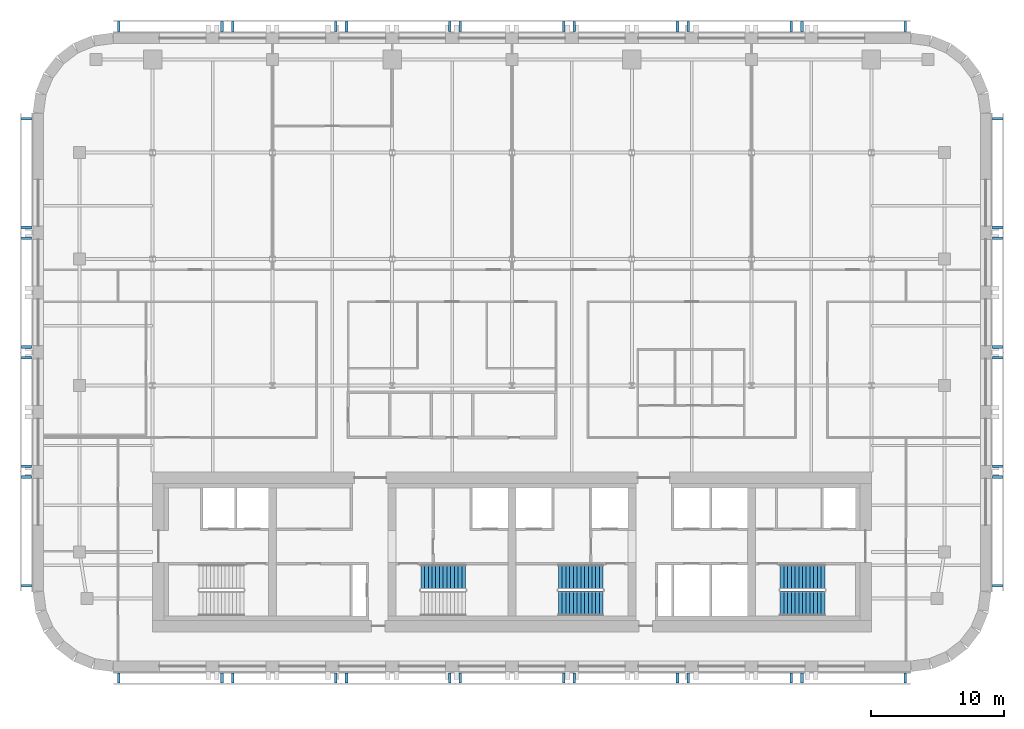
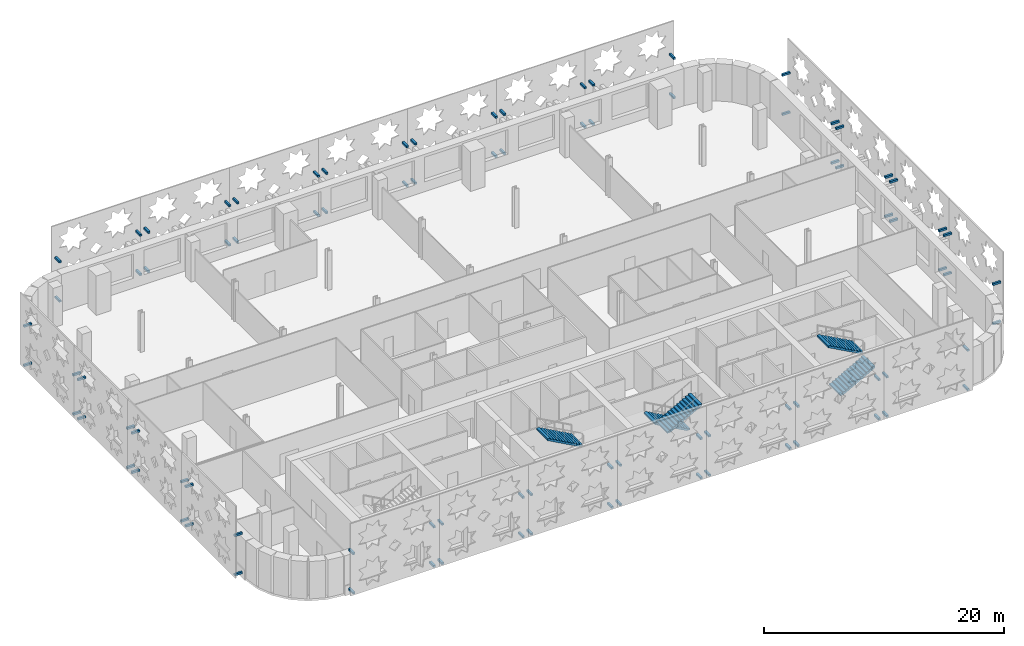
# One storey, part 8 of 12: 88 discrete accessories, 5 stair flights, 3 elements without a shape of their own.
"""IFC4 building model written with IfcOpenShell, lengths in metres."""

from ifc_helpers import new_model, si_unit, direction, frame, origin, origin_2d, place, context, subcontext, project, spatial, polyline, rectangle, outline, extrude, material, type_object, element, aggregate, save


model = new_model("IFC4")

# Units and contexts
model_context = context("Model", 3, precision=1e-05, world=origin(), true_north=direction((0.0, 1.0)))
body_context = subcontext(model_context, "Body", "Model", "MODEL_VIEW")
ifc_project = project(units=[si_unit("LENGTHUNIT", "METRE"), si_unit("AREAUNIT", "SQUARE_METRE"), si_unit("VOLUMEUNIT", "CUBIC_METRE"), si_unit("PLANEANGLEUNIT", "RADIAN"), si_unit("MASSUNIT", "GRAM", prefix="KILO")], contexts=[model_context])

# Site, building, storey
site_placement = place(None, origin())
site = spatial("IfcSite", under=ifc_project, at=site_placement, CompositionType="ELEMENT")
building_placement = place(site_placement, origin())
building = spatial("IfcBuilding", under=site, at=building_placement, Name="Zellij Exchange Tower", CompositionType="ELEMENT")
storey_placement = place(building_placement, frame((0.0, 0.0, 204.5)))
storey = spatial("IfcBuildingStorey", under=building, at=storey_placement, Name="L47", CompositionType="ELEMENT", Elevation=204.5)

# Stair, stair flight
ifc_material_1 = material(Name="Concrete C40/50", Category="concrete")
stair_type = type_object("IfcStairType", Name="CORE-ST exit stair 1850 wide", PredefinedType="HALF_TURN_STAIR", material=ifc_material_1)
stair_1_placement = place(storey_placement, origin())
stair_1 = element("IfcStair", 1, at=stair_1_placement, inside=storey, type_object=stair_type, Name="L47 exit stair ST2", PredefinedType="HALF_TURN_STAIR")
stair_flight_type = type_object("IfcStairFlightType", Name="CORE-SF flight 1850 riser 153.8 going 280", PredefinedType="STRAIGHT", material=ifc_material_1)
stair_flight_1_placement = place(storey_placement, frame((-3.489990234375, -9.875, 2.0), z_axis=(0.0, 0.0, 1.0), x_axis=(-1.0, 0.0, 0.0)))
stair_flight_1 = element("IfcStairFlight", 2, at=stair_flight_1_placement, type_object=stair_flight_type, Name="ST2 flight 2", NumberOfRisers=13, NumberOfTreads=12, PredefinedType="STRAIGHT", RiserHeight=0.153846154, TreadLength=0.28, context=body_context, shape_type="SweptSolid", body=[
    extrude(outline(polyline([(0.0, 0.0), (0.0, 0.15380859375), (0.280029296875, 0.15380859375), (0.280029296875, 0.3076171875), (0.56005859375, 0.3076171875), (0.56005859375, 0.46142578125), (0.840087890625, 0.46142578125), (0.840087890625, 0.615478515625), (1.1201171875, 0.615478515625), (1.1201171875, 0.769287109375), (1.39990234375, 0.769287109375), (1.39990234375, 0.923095703125), (1.679931640625, 0.923095703125), (1.679931640625, 1.076904296875), (1.9599609375, 1.076904296875), (1.9599609375, 1.230712890625), (2.239990234375, 1.230712890625), (2.239990234375, 1.384521484375), (2.52001953125, 1.384521484375), (2.52001953125, 1.53857421875), (2.800048828125, 1.53857421875), (2.800048828125, 1.6923828125), (3.080078125, 1.6923828125), (3.080078125, 1.84619140625), (3.360107421875, 1.84619140625), (3.360107421875, 2.0), (3.360107421875, 1.675048828125), (0.311279296875, 0.0), (0.0, 0.0)])), frame((0.0, 0.925048828125, 0.0), z_axis=(0.0, -1.0, 0.0), x_axis=(1.0, 0.0, 0.0)), (0.0, 0.0, 1.0), 1.85009765625),
])
aggregate(stair_1, [stair_flight_1])

# Stair, stair flights
stair_2_placement = place(storey_placement, origin())
stair_2 = element("IfcStair", 3, at=stair_2_placement, inside=storey, type_object=stair_type, Name="L47 exit stair ST3", PredefinedType="HALF_TURN_STAIR")
stair_flight_2_placement = place(storey_placement, frame((6.85009765625, -9.875, 0.0), z_axis=(0.0, 0.0, 1.0), x_axis=(-1.0, 0.0, 0.0)))
stair_flight_2 = element("IfcStairFlight", 4, at=stair_flight_2_placement, type_object=stair_flight_type, Name="ST3 flight 1", NumberOfRisers=13, NumberOfTreads=12, PredefinedType="STRAIGHT", RiserHeight=0.153846154, TreadLength=0.28, context=body_context, shape_type="SweptSolid", body=[
    extrude(outline(polyline([(0.0, 0.0), (0.0, 0.15380859375), (0.280029296875, 0.15380859375), (0.280029296875, 0.3076171875), (0.56005859375, 0.3076171875), (0.56005859375, 0.46142578125), (0.840087890625, 0.46142578125), (0.840087890625, 0.615478515625), (1.1201171875, 0.615478515625), (1.1201171875, 0.769287109375), (1.39990234375, 0.769287109375), (1.39990234375, 0.923095703125), (1.679931640625, 0.923095703125), (1.679931640625, 1.076904296875), (1.9599609375, 1.076904296875), (1.9599609375, 1.230712890625), (2.239990234375, 1.230712890625), (2.239990234375, 1.384521484375), (2.52001953125, 1.384521484375), (2.52001953125, 1.53857421875), (2.800048828125, 1.53857421875), (2.800048828125, 1.6923828125), (3.080078125, 1.6923828125), (3.080078125, 1.84619140625), (3.360107421875, 1.84619140625), (3.360107421875, 2.0), (3.360107421875, 1.675048828125), (0.311279296875, 0.0), (0.0, 0.0)])), frame((0.0, 0.925048828125, 0.0), z_axis=(0.0, -1.0, 0.0), x_axis=(1.0, 0.0, 0.0)), (0.0, 0.0, 1.0), 1.85009765625),
])
stair_flight_3_placement = place(storey_placement, frame((3.489990234375, -11.875, 2.0), z_axis=(0.0, 0.0, 1.0), x_axis=(1.0, 0.0, 0.0)))
stair_flight_3 = element("IfcStairFlight", 5, at=stair_flight_3_placement, type_object=stair_flight_type, Name="ST3 flight 2", NumberOfRisers=13, NumberOfTreads=12, PredefinedType="STRAIGHT", RiserHeight=0.153846154, TreadLength=0.28, context=body_context, shape_type="SweptSolid", body=[
    extrude(outline(polyline([(0.0, 0.0), (0.0, 0.15380859375), (0.280029296875, 0.15380859375), (0.280029296875, 0.3076171875), (0.56005859375, 0.3076171875), (0.56005859375, 0.46142578125), (0.840087890625, 0.46142578125), (0.840087890625, 0.615478515625), (1.1201171875, 0.615478515625), (1.1201171875, 0.769287109375), (1.39990234375, 0.769287109375), (1.39990234375, 0.923095703125), (1.679931640625, 0.923095703125), (1.679931640625, 1.076904296875), (1.9599609375, 1.076904296875), (1.9599609375, 1.230712890625), (2.239990234375, 1.230712890625), (2.239990234375, 1.384521484375), (2.52001953125, 1.384521484375), (2.52001953125, 1.53857421875), (2.800048828125, 1.53857421875), (2.800048828125, 1.6923828125), (3.080078125, 1.6923828125), (3.080078125, 1.84619140625), (3.360107421875, 1.84619140625), (3.360107421875, 2.0), (3.360107421875, 1.675048828125), (0.311279296875, 0.0), (0.0, 0.0)])), frame((0.0, 0.925048828125, 0.0), z_axis=(0.0, -1.0, 0.0), x_axis=(1.0, 0.0, 0.0)), (0.0, 0.0, 1.0), 1.85009765625),
])
aggregate(stair_2, [stair_flight_2, stair_flight_3])

stair_3_placement = place(storey_placement, origin())
stair_3 = element("IfcStair", 6, at=stair_3_placement, inside=storey, type_object=stair_type, Name="L47 exit stair ST4", PredefinedType="HALF_TURN_STAIR")
stair_flight_4_placement = place(storey_placement, frame((20.14990234375, -11.875, 0.0), z_axis=(0.0, 0.0, 1.0), x_axis=(1.0, 0.0, 0.0)))
stair_flight_4 = element("IfcStairFlight", 7, at=stair_flight_4_placement, type_object=stair_flight_type, Name="ST4 flight 1", NumberOfRisers=13, NumberOfTreads=12, PredefinedType="STRAIGHT", RiserHeight=0.153846154, TreadLength=0.28, context=body_context, shape_type="SweptSolid", body=[
    extrude(outline(polyline([(0.0, 0.0), (0.0, 0.15380859375), (0.280029296875, 0.15380859375), (0.280029296875, 0.3076171875), (0.56005859375, 0.3076171875), (0.56005859375, 0.46142578125), (0.840087890625, 0.46142578125), (0.840087890625, 0.615478515625), (1.1201171875, 0.615478515625), (1.1201171875, 0.769287109375), (1.39990234375, 0.769287109375), (1.39990234375, 0.923095703125), (1.679931640625, 0.923095703125), (1.679931640625, 1.076904296875), (1.9599609375, 1.076904296875), (1.9599609375, 1.230712890625), (2.239990234375, 1.230712890625), (2.239990234375, 1.384521484375), (2.52001953125, 1.384521484375), (2.52001953125, 1.53857421875), (2.800048828125, 1.53857421875), (2.800048828125, 1.6923828125), (3.080078125, 1.6923828125), (3.080078125, 1.84619140625), (3.360107421875, 1.84619140625), (3.360107421875, 2.0), (3.360107421875, 1.675048828125), (0.311279296875, 0.0), (0.0, 0.0)])), frame((0.0, 0.925048828125, 0.0), z_axis=(0.0, -1.0, 0.0), x_axis=(1.0, 0.0, 0.0)), (0.0, 0.0, 1.0), 1.85009765625),
])
stair_flight_5_placement = place(storey_placement, frame((23.510009765625, -9.875, 2.0), z_axis=(0.0, 0.0, 1.0), x_axis=(-1.0, 0.0, 0.0)))
stair_flight_5 = element("IfcStairFlight", 8, at=stair_flight_5_placement, type_object=stair_flight_type, Name="ST4 flight 2", NumberOfRisers=13, NumberOfTreads=12, PredefinedType="STRAIGHT", RiserHeight=0.153846154, TreadLength=0.28, context=body_context, shape_type="SweptSolid", body=[
    extrude(outline(polyline([(0.0, 0.0), (0.0, 0.15380859375), (0.280029296875, 0.15380859375), (0.280029296875, 0.3076171875), (0.56005859375, 0.3076171875), (0.56005859375, 0.46142578125), (0.840087890625, 0.46142578125), (0.840087890625, 0.615478515625), (1.1201171875, 0.615478515625), (1.1201171875, 0.769287109375), (1.39990234375, 0.769287109375), (1.39990234375, 0.923095703125), (1.679931640625, 0.923095703125), (1.679931640625, 1.076904296875), (1.9599609375, 1.076904296875), (1.9599609375, 1.230712890625), (2.239990234375, 1.230712890625), (2.239990234375, 1.384521484375), (2.52001953125, 1.384521484375), (2.52001953125, 1.53857421875), (2.800048828125, 1.53857421875), (2.800048828125, 1.6923828125), (3.080078125, 1.6923828125), (3.080078125, 1.84619140625), (3.360107421875, 1.84619140625), (3.360107421875, 2.0), (3.360107421875, 1.675048828125), (0.311279296875, 0.0), (0.0, 0.0)])), frame((0.0, 0.925048828125, 0.0), z_axis=(0.0, -1.0, 0.0), x_axis=(1.0, 0.0, 0.0)), (0.0, 0.0, 1.0), 1.85009765625),
])
aggregate(stair_3, [stair_flight_4, stair_flight_5])

# Discrete accessories
ifc_material_2 = material(Name="Stainless steel", Category="steel")
discrete_accessory_type = type_object("IfcDiscreteAccessoryType", Name="ENV-BR1 Stone panel bracket 200", PredefinedType="USERDEFINED", material=ifc_material_2)
for number, where, z_axis, x_axis, name in (
    (9, (-36.47509765625, 24.547607421875, 0.2998046875), (0.0, 0.0, 1.0), (0.0, -1.0, 0.0), "Panel bracket"),
    (10, (-36.47509765625, 16.373779296875, 0.2998046875), (0.0, 0.0, 1.0), (0.0, -1.0, 0.0), "Panel bracket"),
    (11, (-36.47509765625, 24.547607421875, 4.2998046875), (0.0, 0.0, 1.0), (0.0, -1.0, 0.0), "Panel bracket"),
    (12, (-36.47509765625, 16.373779296875, 4.2998046875), (0.0, 0.0, 1.0), (0.0, -1.0, 0.0), "Panel bracket"),
    (13, (-36.47509765625, 15.57373046875, 0.2998046875), (0.0, 0.0, 1.0), (0.0, -1.0, 0.0), "Panel bracket"),
    (14, (-36.47509765625, 7.39990234375, 0.2998046875), (0.0, 0.0, 1.0), (0.0, -1.0, 0.0), "Panel bracket"),
    (15, (-36.47509765625, 15.57373046875, 4.2998046875), (0.0, 0.0, 1.0), (0.0, -1.0, 0.0), "Panel bracket"),
    (16, (-36.47509765625, 7.39990234375, 4.2998046875), (0.0, 0.0, 1.0), (0.0, -1.0, 0.0), "Panel bracket"),
    (17, (-36.47509765625, 6.60009765625, 0.2998046875), (0.0, 0.0, 1.0), (0.0, -1.0, 0.0), "Panel bracket"),
    (18, (-36.47509765625, -1.57373046875, 0.2998046875), (0.0, 0.0, 1.0), (0.0, -1.0, 0.0), "Panel bracket"),
    (19, (-36.47509765625, 6.60009765625, 4.2998046875), (0.0, 0.0, 1.0), (0.0, -1.0, 0.0), "Panel bracket"),
    (20, (-36.47509765625, -1.57373046875, 4.2998046875), (0.0, 0.0, 1.0), (0.0, -1.0, 0.0), "Panel bracket"),
    (21, (-36.47509765625, -2.373779296875, 0.2998046875), (0.0, 0.0, 1.0), (0.0, -1.0, 0.0), "Panel bracket"),
    (22, (-36.47509765625, -10.547607421875, 0.2998046875), (0.0, 0.0, 1.0), (0.0, -1.0, 0.0), "Panel bracket"),
    (23, (-36.47509765625, -2.373779296875, 4.2998046875), (0.0, 0.0, 1.0), (0.0, -1.0, 0.0), "Panel bracket"),
    (24, (-36.47509765625, -10.547607421875, 4.2998046875), (0.0, 0.0, 1.0), (0.0, -1.0, 0.0), "Panel bracket"),
    (25, (-29.547607421875, -17.47509765625, 0.2998046875), (0.0, 0.0, 1.0), (1.0, 0.0, 0.0), "Panel bracket"),
    (26, (-21.791015625, -17.47509765625, 0.2998046875), (0.0, 0.0, 1.0), (1.0, 0.0, 0.0), "Panel bracket"),
    (27, (-29.547607421875, -17.47509765625, 4.2998046875), (0.0, 0.0, 1.0), (1.0, 0.0, 0.0), "Panel bracket"),
    (28, (-21.791015625, -17.47509765625, 4.2998046875), (0.0, 0.0, 1.0), (1.0, 0.0, 0.0), "Panel bracket"),
    (29, (-20.9912109375, -17.47509765625, 0.2998046875), (0.0, 0.0, 1.0), (1.0, 0.0, 0.0), "Panel bracket"),
    (30, (-13.234619140625, -17.47509765625, 0.2998046875), (0.0, 0.0, 1.0), (1.0, 0.0, 0.0), "Panel bracket"),
    (31, (-20.9912109375, -17.47509765625, 4.2998046875), (0.0, 0.0, 1.0), (1.0, 0.0, 0.0), "Panel bracket"),
    (32, (-13.234619140625, -17.47509765625, 4.2998046875), (0.0, 0.0, 1.0), (1.0, 0.0, 0.0), "Panel bracket"),
    (33, (-12.434814453125, -17.47509765625, 0.2998046875), (0.0, 0.0, 1.0), (1.0, 0.0, 0.0), "Panel bracket"),
    (34, (-4.67822265625, -17.47509765625, 0.2998046875), (0.0, 0.0, 1.0), (1.0, 0.0, 0.0), "Panel bracket"),
    (35, (-12.434814453125, -17.47509765625, 4.2998046875), (0.0, 0.0, 1.0), (1.0, 0.0, 0.0), "Panel bracket"),
    (36, (-4.67822265625, -17.47509765625, 4.2998046875), (0.0, 0.0, 1.0), (1.0, 0.0, 0.0), "Panel bracket"),
    (37, (-3.878173828125, -17.47509765625, 0.2998046875), (0.0, 0.0, 1.0), (1.0, 0.0, 0.0), "Panel bracket"),
    (38, (3.878173828125, -17.47509765625, 0.2998046875), (0.0, 0.0, 1.0), (1.0, 0.0, 0.0), "Panel bracket"),
    (39, (-3.878173828125, -17.47509765625, 4.2998046875), (0.0, 0.0, 1.0), (1.0, 0.0, 0.0), "Panel bracket"),
    (40, (3.878173828125, -17.47509765625, 4.2998046875), (0.0, 0.0, 1.0), (1.0, 0.0, 0.0), "Panel bracket"),
    (41, (4.67822265625, -17.47509765625, 0.2998046875), (0.0, 0.0, 1.0), (1.0, 0.0, 0.0), "Panel bracket"),
    (42, (12.434814453125, -17.47509765625, 0.2998046875), (0.0, 0.0, 1.0), (1.0, 0.0, 0.0), "Panel bracket"),
    (43, (4.67822265625, -17.47509765625, 4.2998046875), (0.0, 0.0, 1.0), (1.0, 0.0, 0.0), "Panel bracket"),
    (44, (12.434814453125, -17.47509765625, 4.2998046875), (0.0, 0.0, 1.0), (1.0, 0.0, 0.0), "Panel bracket"),
    (45, (13.234619140625, -17.47509765625, 0.2998046875), (0.0, 0.0, 1.0), (1.0, 0.0, 0.0), "Panel bracket"),
    (46, (20.9912109375, -17.47509765625, 0.2998046875), (0.0, 0.0, 1.0), (1.0, 0.0, 0.0), "Panel bracket"),
    (47, (13.234619140625, -17.47509765625, 4.2998046875), (0.0, 0.0, 1.0), (1.0, 0.0, 0.0), "Panel bracket"),
    (48, (20.9912109375, -17.47509765625, 4.2998046875), (0.0, 0.0, 1.0), (1.0, 0.0, 0.0), "Panel bracket"),
    (49, (21.791015625, -17.47509765625, 0.2998046875), (0.0, 0.0, 1.0), (1.0, 0.0, 0.0), "Panel bracket"),
    (50, (29.547607421875, -17.47509765625, 0.2998046875), (0.0, 0.0, 1.0), (1.0, 0.0, 0.0), "Panel bracket"),
    (51, (21.791015625, -17.47509765625, 4.2998046875), (0.0, 0.0, 1.0), (1.0, 0.0, 0.0), "Panel bracket"),
    (52, (29.547607421875, -17.47509765625, 4.2998046875), (0.0, 0.0, 1.0), (1.0, 0.0, 0.0), "Panel bracket"),
    (53, (29.547607421875, 31.47509765625, 0.2998046875), (0.0, 0.0, 1.0), (-1.0, 0.0, 0.0), "Panel bracket"),
    (54, (21.791015625, 31.47509765625, 0.2998046875), (0.0, 0.0, 1.0), (-1.0, 0.0, 0.0), "Panel bracket"),
    (55, (29.547607421875, 31.47509765625, 4.2998046875), (0.0, 0.0, 1.0), (-1.0, 0.0, 0.0), "Panel bracket"),
    (56, (21.791015625, 31.47509765625, 4.2998046875), (0.0, 0.0, 1.0), (-1.0, 0.0, 0.0), "Panel bracket"),
    (57, (20.9912109375, 31.47509765625, 0.2998046875), (0.0, 0.0, 1.0), (-1.0, 0.0, 0.0), "Panel bracket"),
    (58, (13.234619140625, 31.47509765625, 0.2998046875), (0.0, 0.0, 1.0), (-1.0, 0.0, 0.0), "Panel bracket"),
    (59, (20.9912109375, 31.47509765625, 4.2998046875), (0.0, 0.0, 1.0), (-1.0, 0.0, 0.0), "Panel bracket"),
    (60, (13.234619140625, 31.47509765625, 4.2998046875), (0.0, 0.0, 1.0), (-1.0, 0.0, 0.0), "Panel bracket"),
    (61, (12.434814453125, 31.47509765625, 0.2998046875), (0.0, 0.0, 1.0), (-1.0, 0.0, 0.0), "Panel bracket"),
    (62, (4.67822265625, 31.47509765625, 0.2998046875), (0.0, 0.0, 1.0), (-1.0, 0.0, 0.0), "Panel bracket"),
    (63, (12.434814453125, 31.47509765625, 4.2998046875), (0.0, 0.0, 1.0), (-1.0, 0.0, 0.0), "Panel bracket"),
    (64, (4.67822265625, 31.47509765625, 4.2998046875), (0.0, 0.0, 1.0), (-1.0, 0.0, 0.0), "Panel bracket"),
    (65, (3.878173828125, 31.47509765625, 0.2998046875), (0.0, 0.0, 1.0), (-1.0, 0.0, 0.0), "Panel bracket"),
    (66, (-3.878173828125, 31.47509765625, 0.2998046875), (0.0, 0.0, 1.0), (-1.0, 0.0, 0.0), "Panel bracket"),
    (67, (3.878173828125, 31.47509765625, 4.2998046875), (0.0, 0.0, 1.0), (-1.0, 0.0, 0.0), "Panel bracket"),
    (68, (-3.878173828125, 31.47509765625, 4.2998046875), (0.0, 0.0, 1.0), (-1.0, 0.0, 0.0), "Panel bracket"),
    (69, (-4.67822265625, 31.47509765625, 0.2998046875), (0.0, 0.0, 1.0), (-1.0, 0.0, 0.0), "Panel bracket"),
    (70, (-12.434814453125, 31.47509765625, 0.2998046875), (0.0, 0.0, 1.0), (-1.0, 0.0, 0.0), "Panel bracket"),
    (71, (-4.67822265625, 31.47509765625, 4.2998046875), (0.0, 0.0, 1.0), (-1.0, 0.0, 0.0), "Panel bracket"),
    (72, (-12.434814453125, 31.47509765625, 4.2998046875), (0.0, 0.0, 1.0), (-1.0, 0.0, 0.0), "Panel bracket"),
    (73, (-13.234619140625, 31.47509765625, 0.2998046875), (0.0, 0.0, 1.0), (-1.0, 0.0, 0.0), "Panel bracket"),
    (74, (-20.9912109375, 31.47509765625, 0.2998046875), (0.0, 0.0, 1.0), (-1.0, 0.0, 0.0), "Panel bracket"),
    (75, (-13.234619140625, 31.47509765625, 4.2998046875), (0.0, 0.0, 1.0), (-1.0, 0.0, 0.0), "Panel bracket"),
    (76, (-20.9912109375, 31.47509765625, 4.2998046875), (0.0, 0.0, 1.0), (-1.0, 0.0, 0.0), "Panel bracket"),
    (77, (-21.791015625, 31.47509765625, 0.2998046875), (0.0, 0.0, 1.0), (-1.0, 0.0, 0.0), "Panel bracket"),
    (78, (-29.547607421875, 31.47509765625, 0.2998046875), (0.0, 0.0, 1.0), (-1.0, 0.0, 0.0), "Panel bracket"),
    (79, (-21.791015625, 31.47509765625, 4.2998046875), (0.0, 0.0, 1.0), (-1.0, 0.0, 0.0), "Panel bracket"),
    (80, (-29.547607421875, 31.47509765625, 4.2998046875), (0.0, 0.0, 1.0), (-1.0, 0.0, 0.0), "Panel bracket"),
    (81, (36.47509765625, -10.547607421875, 0.2998046875), (0.0, 0.0, 1.0), (0.0, 1.0, 0.0), "Panel bracket"),
    (82, (36.47509765625, -2.373779296875, 0.2998046875), (0.0, 0.0, 1.0), (0.0, 1.0, 0.0), "Panel bracket"),
    (83, (36.47509765625, -10.547607421875, 4.2998046875), (0.0, 0.0, 1.0), (0.0, 1.0, 0.0), "Panel bracket"),
    (84, (36.47509765625, -2.373779296875, 4.2998046875), (0.0, 0.0, 1.0), (0.0, 1.0, 0.0), "Panel bracket"),
    (85, (36.47509765625, -1.57373046875, 0.2998046875), (0.0, 0.0, 1.0), (0.0, 1.0, 0.0), "Panel bracket"),
    (86, (36.47509765625, 6.60009765625, 0.2998046875), (0.0, 0.0, 1.0), (0.0, 1.0, 0.0), "Panel bracket"),
    (87, (36.47509765625, -1.57373046875, 4.2998046875), (0.0, 0.0, 1.0), (0.0, 1.0, 0.0), "Panel bracket"),
    (88, (36.47509765625, 6.60009765625, 4.2998046875), (0.0, 0.0, 1.0), (0.0, 1.0, 0.0), "Panel bracket"),
    (89, (36.47509765625, 7.39990234375, 0.2998046875), (0.0, 0.0, 1.0), (0.0, 1.0, 0.0), "Panel bracket"),
    (90, (36.47509765625, 15.57373046875, 0.2998046875), (0.0, 0.0, 1.0), (0.0, 1.0, 0.0), "Panel bracket"),
    (91, (36.47509765625, 7.39990234375, 4.2998046875), (0.0, 0.0, 1.0), (0.0, 1.0, 0.0), "Panel bracket"),
    (92, (36.47509765625, 15.57373046875, 4.2998046875), (0.0, 0.0, 1.0), (0.0, 1.0, 0.0), "Panel bracket"),
    (93, (36.47509765625, 16.373779296875, 0.2998046875), (0.0, 0.0, 1.0), (0.0, 1.0, 0.0), "Panel bracket"),
    (94, (36.47509765625, 24.547607421875, 0.2998046875), (0.0, 0.0, 1.0), (0.0, 1.0, 0.0), "Panel bracket"),
    (95, (36.47509765625, 16.373779296875, 4.2998046875), (0.0, 0.0, 1.0), (0.0, 1.0, 0.0), "Panel bracket"),
    (96, (36.47509765625, 24.547607421875, 4.2998046875), (0.0, 0.0, 1.0), (0.0, 1.0, 0.0), "Panel bracket"),
):
    element("IfcDiscreteAccessory", number, at=place(storey_placement, frame(where, z_axis=z_axis, x_axis=x_axis)), inside=storey, type_object=discrete_accessory_type, Name=name, ObjectType="BRACKET", PredefinedType="USERDEFINED", context=body_context, shape_type="SweptSolid", body=[
        extrude(rectangle(XDim=0.199951171875, YDim=0.75, at=origin_2d()), origin(), (0.0, 0.0, 1.0), 0.199951171875),
    ])

save(model, "model.ifc")
